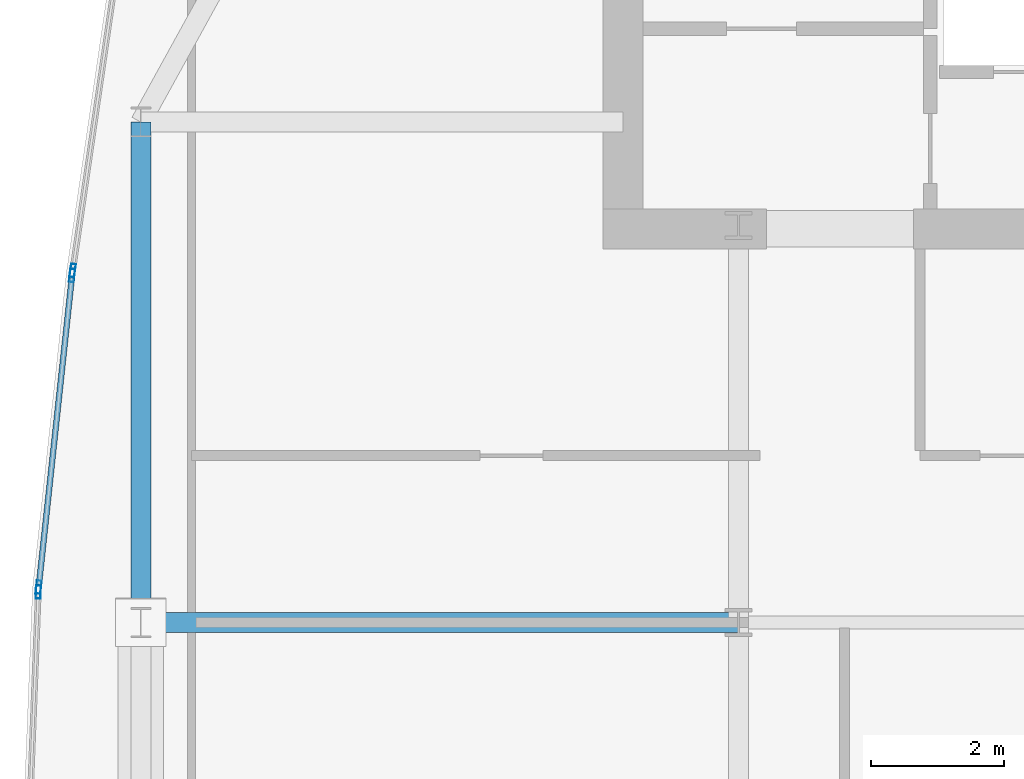
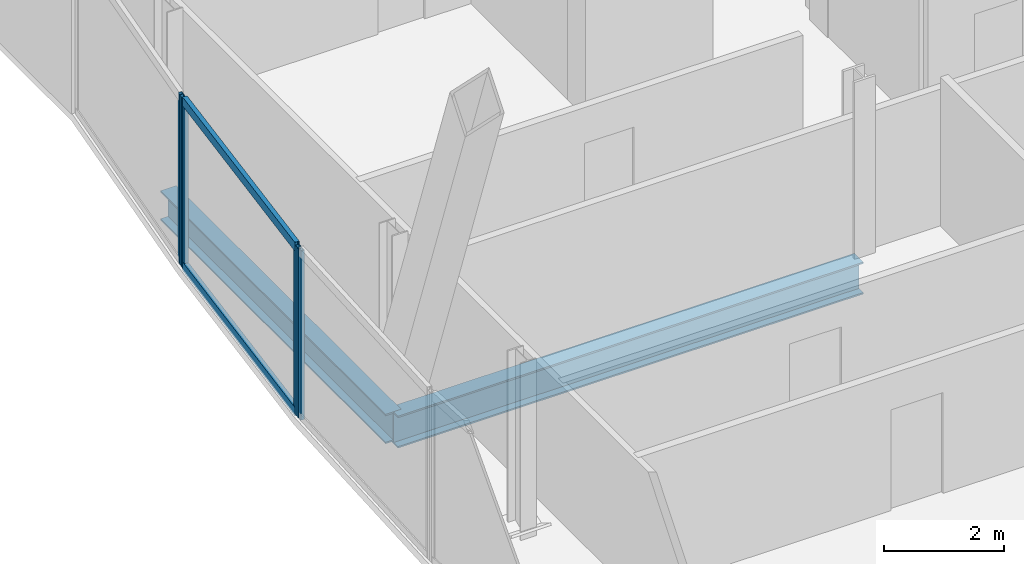
# One storey, part 12 of 31: 6 members, 2 beams, 3 elements without a shape of their own.
"""IFC4 building model written with IfcOpenShell, lengths in metres."""

import ifcopenshell
import ifcopenshell.guid

model = None  # the IFC model being written
_history = None  # IfcOwnerHistory: only IFC2X3 demands one
_inside = {}  # id of a spatial element -> (the spatial element, [elements in it])
_under = {}  # id of a project, library or spatial element -> (it, [spatial elements below it])
_declared = {}  # id of a project -> (the project, [libraries it declares])
_typed = {}  # id of a type object -> (the type object, [elements of that type])
_made_of = {}  # id of a material, layer set ... -> (it, [elements and type objects made of it])


def new_model(schema):
    """Start an empty IFC model of exactly this schema.

    Asked for "IFC4X3", IfcOpenShell would pick the latest addendum, in which some entities
    have other attributes; the version numbers below select the first issue.
    IFC2X3 requires an IfcOwnerHistory on every rooted entity: one is made here for all.
    """
    global model, _history
    if schema == "IFC4X3":
        model = ifcopenshell.file(schema_version=(4, 3, 0, 0))
    else:
        model = ifcopenshell.file(schema=schema)
    _inside.clear()
    _under.clear()
    _declared.clear()
    _typed.clear()
    _made_of.clear()
    _history = None
    if model.schema == "IFC2X3":
        org = make("IfcOrganization", Name="unknown")
        user = make(
            "IfcPersonAndOrganization",
            ThePerson=make("IfcPerson", FamilyName="unknown"),
            TheOrganization=org,
        )
        app = make(
            "IfcApplication",
            ApplicationDeveloper=org,
            Version="unknown",
            ApplicationFullName="unknown",
            ApplicationIdentifier="unknown",
        )
        _history = make(
            "IfcOwnerHistory",
            OwningUser=user,
            OwningApplication=app,
            ChangeAction="ADDED",
            CreationDate=0,
        )
    return model


def make(cls, **values):
    """One entity of the class cls with the attributes given. An attribute that is None is left unset."""
    return model.create_entity(
        cls, **{name: value for name, value in values.items() if value is not None}
    )


def rooted(cls, **values):
    """An entity with a GlobalId (a new one), such as an element, a storey or a relation."""
    return make(cls, GlobalId=ifcopenshell.guid.new(), OwnerHistory=_history, **values)


def si_unit(unit_type, name, prefix=None):
    """IfcSIUnit, for example si_unit("LENGTHUNIT", "METRE", prefix="MILLI")."""
    return make("IfcSIUnit", UnitType=unit_type, Prefix=prefix, Name=name)


def assignment(units):
    """IfcUnitAssignment: the units of a project."""
    return None if units is None else make("IfcUnitAssignment", Units=units)


def point(xyz):
    """IfcCartesianPoint."""
    return None if xyz is None else make("IfcCartesianPoint", Coordinates=xyz)


def direction(xyz):
    """IfcDirection."""
    return None if xyz is None else make("IfcDirection", DirectionRatios=xyz)


def frame(location, z_axis=None, x_axis=None):
    """IfcAxis2Placement3D, a coordinate frame: its origin and axes. An axis left out is left unset."""
    return make(
        "IfcAxis2Placement3D",
        Location=point(location),
        Axis=direction(z_axis),
        RefDirection=direction(x_axis),
    )


def frame_2d(location, x_axis=None):
    """IfcAxis2Placement2D, a coordinate frame in the plane: its origin and x axis."""
    return make(
        "IfcAxis2Placement2D", Location=point(location), RefDirection=direction(x_axis)
    )


def origin():
    """The frame at (0, 0, 0) with its axes left unset."""
    return frame((0.0, 0.0, 0.0))


def origin_2d():
    """The frame at (0, 0) in the plane with its x axis left unset."""
    return frame_2d((0.0, 0.0))


def place(relative_to, where):
    """IfcLocalPlacement: puts the frame where relative to a parent placement (None: the world)."""
    return make(
        "IfcLocalPlacement", PlacementRelTo=relative_to, RelativePlacement=where
    )


def context(
    kind, dimensions, precision=None, world=None, true_north=None, identifier=None
):
    """IfcGeometricRepresentationContext, for example the 3D "Model" context."""
    return make(
        "IfcGeometricRepresentationContext",
        ContextIdentifier=identifier,
        ContextType=kind,
        CoordinateSpaceDimension=dimensions,
        Precision=precision,
        WorldCoordinateSystem=world,
        TrueNorth=true_north,
    )


def subcontext(parent, identifier, kind, view, scale=None):
    """IfcGeometricRepresentationSubContext, for example "Body" below "Model"."""
    return make(
        "IfcGeometricRepresentationSubContext",
        ContextIdentifier=identifier,
        ContextType=kind,
        ParentContext=parent,
        TargetScale=scale,
        TargetView=view,
    )


def project(units=None, contexts=None):
    """IfcProject with its units and contexts."""
    return rooted(
        "IfcProject",
        Name="project",
        RepresentationContexts=contexts,
        UnitsInContext=assignment(units),
    )


def spatial(cls, under=None, at=None, **own):
    """A site, building, storey or space (cls), placed at a placement, below another one or the project."""
    s = rooted(cls, ObjectPlacement=at, **own)
    if under is not None:
        _under.setdefault(under.id(), (under, []))[1].append(s)
    return s


def profile(cls, at=None, kind="AREA", **sizes):
    """A parametric profile (cls). Its sizes go by their IFC names, for example OverallWidth=200.0."""
    return make(cls, ProfileType=kind, Position=at, **sizes)


def hollow_rectangle(**sizes):
    """IfcRectangleHollowProfileDef."""
    return profile("IfcRectangleHollowProfileDef", **sizes)


def i_section(**sizes):
    """IfcIShapeProfileDef."""
    return profile("IfcIShapeProfileDef", **sizes)


def extrude(swept, where, along, depth):
    """IfcExtrudedAreaSolid: the profile swept, set in the frame where, extruded along a direction by depth."""
    return make(
        "IfcExtrudedAreaSolid",
        SweptArea=swept,
        Position=where,
        ExtrudedDirection=direction(along),
        Depth=depth,
    )


def shape(context_of_items, identifier, shape_type, items):
    """IfcShapeRepresentation: the items that make up one representation, for example the "Body"."""
    return make(
        "IfcShapeRepresentation",
        ContextOfItems=context_of_items,
        RepresentationIdentifier=identifier,
        RepresentationType=shape_type,
        Items=items,
    )


def material(Name=None, Category=None):
    """IfcMaterial."""
    return make("IfcMaterial", Name=Name, Category=Category)


def material_profile(
    of_material, cross_section, Name=None, Category=None, Priority=None
):
    """IfcMaterialProfile: a cross section and its material."""
    return make(
        "IfcMaterialProfile",
        Name=Name,
        Material=of_material,
        Profile=cross_section,
        Priority=Priority,
        Category=Category,
    )


def profile_set(profiles, Name=None, composite=None):
    """IfcMaterialProfileSet."""
    return make(
        "IfcMaterialProfileSet",
        Name=Name,
        MaterialProfiles=profiles,
        CompositeProfile=composite,
    )


def made_of(thing, what):
    """Note that an element or type object is made of a material, layer set ...; save() writes the relation."""
    if what is not None:
        _made_of.setdefault(what.id(), (what, []))[1].append(thing)
    return thing


def type_object(cls, material=None, **own):
    """A type object (cls), such as IfcWallType, which elements share."""
    return made_of(rooted(cls, **own), material)


def element(
    cls,
    number,
    at=None,
    inside=None,
    cuts=None,
    type_object=None,
    material=None,
    context=None,
    identifier="Body",
    shape_type=None,
    held_by="IfcProductDefinitionShape",
    body=None,
    shapes=None,
    **own,
):
    """One element of the class cls, such as IfcWall. Its Tag is "e" and its number.

    at: its placement. inside: the storey or other place that contains it. cuts: it is an
    opening in that element (IfcRelVoidsElement). A single representation is given by context,
    identifier, shape_type and body (its items); several are given by shapes. held_by: the class
    of the entity that holds the representations. save() writes the other relations.
    """
    e = rooted(cls, Tag="e%d" % number, ObjectPlacement=at, **own)
    if body is not None:
        shapes = [shape(context, identifier, shape_type, body)]
    if shapes is not None:
        e.Representation = make(held_by, Representations=shapes)
    if inside is not None:
        _inside.setdefault(inside.id(), (inside, []))[1].append(e)
    if cuts is not None:
        rooted(
            "IfcRelVoidsElement", RelatingBuildingElement=cuts, RelatedOpeningElement=e
        )
    if type_object is not None:
        _typed.setdefault(type_object.id(), (type_object, []))[1].append(e)
    return made_of(e, material)


def aggregate(whole, parts):
    """IfcRelAggregates: a whole, such as a stair, and the parts it consists of."""
    return rooted("IfcRelAggregates", RelatingObject=whole, RelatedObjects=parts)


def save(model, path):
    """Write the relations noted so far, then the file.

    IfcRelAggregates (storeys below a building ...), IfcRelContainedInSpatialStructure (elements
    in a storey), IfcRelDefinesByType, IfcRelAssociatesMaterial and IfcRelDeclares: one each for
    every whole, place, type object, material and project.
    """
    for whole, parts in _under.values():
        aggregate(whole, parts)
    for where, things in _inside.values():
        rooted(
            "IfcRelContainedInSpatialStructure",
            RelatedElements=things,
            RelatingStructure=where,
        )
    for kind, things in _typed.values():
        rooted("IfcRelDefinesByType", RelatedObjects=things, RelatingType=kind)
    for what, things in _made_of.values():
        rooted("IfcRelAssociatesMaterial", RelatedObjects=things, RelatingMaterial=what)
    for by, libraries in _declared.values():
        rooted("IfcRelDeclares", RelatingContext=by, RelatedDefinitions=libraries)
    model.write(path)


model = new_model("IFC4")

# Units and contexts
model_context = context("Model", 3, precision=1e-05, world=origin(), true_north=direction((0.0, 1.0)))
body_context = subcontext(model_context, "Body", "Model", "MODEL_VIEW")
ifc_project = project(units=[si_unit("LENGTHUNIT", "METRE"), si_unit("AREAUNIT", "SQUARE_METRE"), si_unit("VOLUMEUNIT", "CUBIC_METRE"), si_unit("PLANEANGLEUNIT", "RADIAN"), si_unit("MASSUNIT", "GRAM", prefix="KILO")], contexts=[model_context])

# Site, building, storey
site_placement = place(None, origin())
site = spatial("IfcSite", under=ifc_project, at=site_placement, CompositionType="ELEMENT")
building_placement = place(site_placement, origin())
building = spatial("IfcBuilding", under=site, at=building_placement, Name="Khoronbel Lancet Exchange", CompositionType="ELEMENT")
storey_placement = place(building_placement, frame((0.0, 0.0, 249.800048828125)))
storey = spatial("IfcBuildingStorey", under=building, at=storey_placement, Name="L64", CompositionType="ELEMENT", Elevation=249.800048828125)

# Beams
ifc_material_1 = material(Name="Steel S355", Category="steel")
ifc_material_profile_1 = material_profile(ifc_material_1, i_section(OverallWidth=0.300048828125, OverallDepth=0.64990234375, WebThickness=0.01611328125, FlangeThickness=0.031005859375, at=origin_2d()), Name="HEB 650")
ifc_profile_set_1 = profile_set([ifc_material_profile_1], Name="Steel S355")
beam_type_1 = type_object("IfcBeamType", Name="BM-BG4", PredefinedType="BEAM", material=ifc_profile_set_1)
beam_1_placement = place(storey_placement, frame((9.27001953125, 35.699951171875, -0.485107421875), z_axis=(1.0, 0.0, 0.0), x_axis=(0.0, 1.0, 0.0)))
element("IfcBeam", 1, at=beam_1_placement, inside=storey, type_object=beam_type_1, Name="Level L64 west lens tie girder LG4W", PredefinedType="BEAM", context=body_context, shape_type="SweptSolid", body=[
    extrude(i_section(OverallWidth=0.300048828125, OverallDepth=0.64990234375, WebThickness=0.01611328125, FlangeThickness=0.031005859375, at=origin_2d()), origin(), (0.0, 0.0, 1.0), 8.955078125),
])
ifc_material_profile_2 = material_profile(ifc_material_1, i_section(OverallWidth=0.300048828125, OverallDepth=0.60009765625, WebThickness=0.015380859375, FlangeThickness=0.030029296875, at=origin_2d()), Name="HEB 600")
ifc_profile_set_2 = profile_set([ifc_material_profile_2], Name="Steel S355")
beam_type_2 = type_object("IfcBeamType", Name="BM-BSP2", PredefinedType="SPANDREL", material=ifc_profile_set_2)
beam_2_placement = place(storey_placement, frame((9.27001953125, 43.199951171875, -0.4599609375), z_axis=(0.0, -1.0, 0.0), x_axis=(1.0, 0.0, 0.0)))
element("IfcBeam", 2, at=beam_2_placement, inside=storey, type_object=beam_type_2, Name="Level L64 perimeter spandrel beam SP17", PredefinedType="SPANDREL", context=body_context, shape_type="SweptSolid", body=[
    extrude(i_section(OverallWidth=0.300048828125, OverallDepth=0.60009765625, WebThickness=0.015380859375, FlangeThickness=0.030029296875, at=origin_2d()), origin(), (0.0, 0.0, 1.0), 7.5),
])

# Curtain wall, member
ifc_material_2 = material(Name="Low-E Solar Control Insulating Glass", Category="glass")
curtain_wall_type = type_object("IfcCurtainWallType", Name="CW-4", PredefinedType="NOTDEFINED", material=ifc_material_2)
curtain_wall_1_placement = place(storey_placement, origin())
curtain_wall_1 = element("IfcCurtainWall", 3, at=curtain_wall_1_placement, inside=storey, type_object=curtain_wall_type, Name="Unitised curtain wall CW-L64-E07", PredefinedType="NOTDEFINED")
ifc_material_3 = material(Name="Bronze-Anodised Aluminium 6063-T6", Category="aluminium")
ifc_material_profile_3 = material_profile(ifc_material_3, hollow_rectangle(XDim=0.074951171875, YDim=0.199951171875, WallThickness=0.0048828125, at=origin_2d()), Name="ALU MULLION 75x200")
ifc_profile_set_3 = profile_set([ifc_material_profile_3], Name="Bronze-Anodised Aluminium 6063-T6")
member_type_1 = type_object("IfcMemberType", Name="MEM-CWM2", PredefinedType="MULLION", material=ifc_profile_set_3)
member_1_placement = place(storey_placement, frame((7.734619140625, 36.156005859375, 0.0), z_axis=(0.0, 0.0, 1.0), x_axis=(-0.999232904661, 0.039161233927, 0.0)))
member_1 = element("IfcMember", 4, at=member_1_placement, type_object=member_type_1, Name="CW4 mullion 2", PredefinedType="MULLION", context=body_context, shape_type="SweptSolid", body=[
    extrude(hollow_rectangle(XDim=0.074951171875, YDim=0.199951171875, WallThickness=0.0048828125, at=origin_2d()), origin(), (0.0, 0.0, 1.0), 3.43994140625),
])
aggregate(curtain_wall_1, [member_1])

# Curtain wall, members
curtain_wall_2_placement = place(storey_placement, origin())
curtain_wall_2 = element("IfcCurtainWall", 5, at=curtain_wall_2_placement, inside=storey, type_object=curtain_wall_type, Name="Unitised curtain wall CW-L64-E08", PredefinedType="NOTDEFINED")
member_2_placement = place(storey_placement, frame((7.739990234375, 36.230712890625, 0.0), z_axis=(0.0, 0.0, 1.0), x_axis=(-0.994311928022, 0.106507228834, 0.0)))
member_2 = element("IfcMember", 6, at=member_2_placement, type_object=member_type_1, Name="CW4 mullion 1", PredefinedType="MULLION", context=body_context, shape_type="SweptSolid", body=[
    extrude(hollow_rectangle(XDim=0.074951171875, YDim=0.199951171875, WallThickness=0.0048828125, at=origin_2d()), origin(), (0.0, 0.0, 1.0), 3.43994140625),
])
member_3_placement = place(storey_placement, frame((8.240478515625, 40.9013671875, 0.0), z_axis=(0.0, 0.0, 1.0), x_axis=(-0.994311928022, 0.106507228834, 0.0)))
member_3 = element("IfcMember", 7, at=member_3_placement, type_object=member_type_1, Name="CW4 mullion 2", PredefinedType="MULLION", context=body_context, shape_type="SweptSolid", body=[
    extrude(hollow_rectangle(XDim=0.074951171875, YDim=0.199951171875, WallThickness=0.0048828125, at=origin_2d()), origin(), (0.0, 0.0, 1.0), 3.43994140625),
])

# Curtain wall, member
curtain_wall_3_placement = place(storey_placement, origin())
curtain_wall_3 = element("IfcCurtainWall", 8, at=curtain_wall_3_placement, inside=storey, type_object=curtain_wall_type, Name="Unitised curtain wall CW-L64-E09", PredefinedType="NOTDEFINED")
member_4_placement = place(storey_placement, frame((8.249755859375, 40.975830078125, 0.0), z_axis=(0.0, 0.0, 1.0), x_axis=(-0.989467753264, 0.144753463694, 0.0)))
member_4 = element("IfcMember", 9, at=member_4_placement, type_object=member_type_1, Name="CW4 mullion 1", PredefinedType="MULLION", context=body_context, shape_type="SweptSolid", body=[
    extrude(hollow_rectangle(XDim=0.074951171875, YDim=0.199951171875, WallThickness=0.0048828125, at=origin_2d()), origin(), (0.0, 0.0, 1.0), 3.43994140625),
])
aggregate(curtain_wall_3, [member_4])

# Member
ifc_material_profile_4 = material_profile(ifc_material_3, hollow_rectangle(XDim=0.0849609375, YDim=0.179931640625, WallThickness=0.0048828125, at=origin_2d()), Name="ALU TRANSOM 85x180")
ifc_profile_set_4 = profile_set([ifc_material_profile_4], Name="Bronze-Anodised Aluminium 6063-T6")
member_type_2 = type_object("IfcMemberType", Name="MEM-CWT1", PredefinedType="USERDEFINED", material=ifc_profile_set_4)
member_5_placement = place(storey_placement, frame((7.744140625, 36.26806640625, 0.04248046875), z_axis=(0.106482769099, 0.994314547759, 0.0), x_axis=(-0.994314547759, 0.106482769099, 0.0)))
member_5 = element("IfcMember", 10, at=member_5_placement, type_object=member_type_2, Name="CW4 transom 1.1", ObjectType="TRANSOM", PredefinedType="USERDEFINED", context=body_context, shape_type="SweptSolid", body=[
    extrude(hollow_rectangle(XDim=0.0849609375, YDim=0.179931640625, WallThickness=0.0048828125, at=origin_2d()), origin(), (0.0, 0.0, 1.0), 4.622314453125),
])

member_6_placement = place(storey_placement, frame((7.744140625, 36.26806640625, 3.3974609375), z_axis=(0.106482769099, 0.994314547759, 0.0), x_axis=(-0.994314547759, 0.106482769099, 0.0)))
member_6 = element("IfcMember", 11, at=member_6_placement, type_object=member_type_2, Name="CW4 transom 1.2", ObjectType="TRANSOM", PredefinedType="USERDEFINED", context=body_context, shape_type="SweptSolid", body=[
    extrude(hollow_rectangle(XDim=0.0849609375, YDim=0.179931640625, WallThickness=0.0048828125, at=origin_2d()), origin(), (0.0, 0.0, 1.0), 4.622314453125),
])

aggregate(curtain_wall_2, [member_2, member_3, member_5, member_6])

save(model, "model.ifc")
